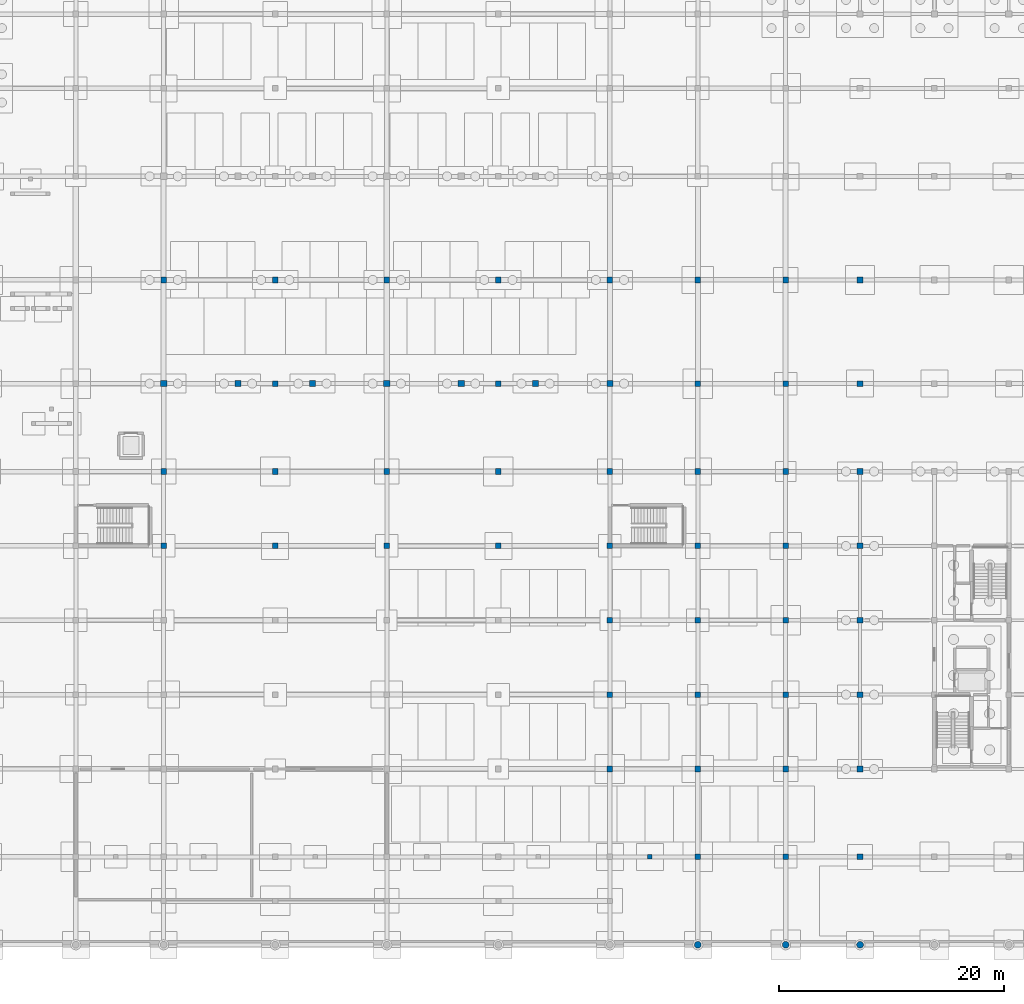
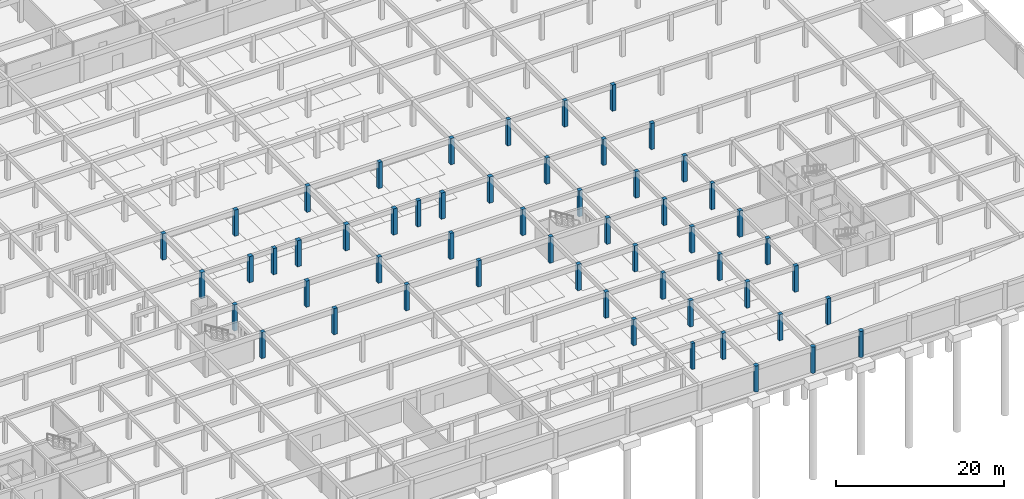
# One storey, part 12 of 37: 55 columns.
"""IFC4 building model written with IfcOpenShell, lengths in metres."""

from ifc_helpers import new_model, si_unit, direction, frame, origin, origin_2d, place, context, subcontext, project, spatial, rectangle, circle, extrude, material, material_profile, profile_set, type_object, element, save


model = new_model("IFC4")

# Units and contexts
model_context = context("Model", 3, precision=1e-05, world=origin(), true_north=direction((0.0, 1.0)))
body_context = subcontext(model_context, "Body", "Model", "MODEL_VIEW")
ifc_project = project(units=[si_unit("LENGTHUNIT", "METRE"), si_unit("AREAUNIT", "SQUARE_METRE"), si_unit("VOLUMEUNIT", "CUBIC_METRE"), si_unit("PLANEANGLEUNIT", "RADIAN"), si_unit("MASSUNIT", "GRAM", prefix="KILO")], contexts=[model_context])

# Site, building, storey
site_placement = place(None, origin())
site = spatial("IfcSite", under=ifc_project, at=site_placement, CompositionType="ELEMENT")
building_placement = place(site_placement, origin())
building = spatial("IfcBuilding", under=site, at=building_placement, Name="Kernevlak Ridge Housing Community", CompositionType="ELEMENT")
storey_placement = place(building_placement, frame((0.0, 0.0, -3.800048828125)))
storey = spatial("IfcBuildingStorey", under=building, at=storey_placement, Name="B1", CompositionType="ELEMENT", Elevation=-3.800048828125)

# Columns
ifc_material_1 = material(Name="Concrete C40/50", Category="concrete")
ifc_material_profile_1 = material_profile(ifc_material_1, rectangle(XDim=0.550048828125, YDim=0.550048828125, at=origin_2d()), Name="RC 550x550")
ifc_profile_set_1 = profile_set([ifc_material_profile_1], Name="Concrete C40/50")
column_type_1 = type_object("IfcColumnType", Name="C-02", PredefinedType="COLUMN", material=ifc_profile_set_1)
for number, where, z_axis, x_axis, name in (
    (1, (64.199951171875, 49.800048828125, 0.0), (0.0, 0.0, 1.0), (1.0, 0.0, 0.0), "Column C-02 COL-HALL-B1-0-0"),
    (2, (70.800048828125, 49.800048828125, 0.0), (0.0, 0.0, 1.0), (1.0, 0.0, 0.0), "Column C-02 COL-HALL-B1-1-0"),
    (3, (77.39990234375, 49.800048828125, 0.0), (0.0, 0.0, 1.0), (1.0, 0.0, 0.0), "Column C-02 COL-HALL-B1-2-0"),
    (4, (84.0, 49.800048828125, 0.0), (0.0, 0.0, 1.0), (1.0, 0.0, 0.0), "Column C-02 COL-HALL-B1-3-0"),
    (5, (90.60009765625, 49.800048828125, 0.0), (0.0, 0.0, 1.0), (1.0, 0.0, 0.0), "Column C-02 COL-HALL-B1-4-0"),
    (6, (97.199951171875, 49.800048828125, 0.0), (0.0, 0.0, 1.0), (1.0, 0.0, 0.0), "Column C-02 COL-HALL-B1-5-0"),
    (7, (103.800048828125, 49.800048828125, 0.0), (0.0, 0.0, 1.0), (1.0, 0.0, 0.0), "Column C-02 COL-HALL-B1-6-0"),
):
    element("IfcColumn", number, at=place(storey_placement, frame(where, z_axis=z_axis, x_axis=x_axis)), inside=storey, type_object=column_type_1, Name=name, PredefinedType="COLUMN", context=body_context, shape_type="SweptSolid", body=[
        extrude(rectangle(XDim=0.550048828125, YDim=0.550048828125, at=origin_2d()), origin(), (0.0, 0.0, 1.0), 3.800048828125),
    ])
ifc_material_profile_2 = material_profile(ifc_material_1, rectangle(XDim=0.5, YDim=0.5, at=origin_2d()), Name="RC 500x500")
ifc_profile_set_2 = profile_set([ifc_material_profile_2], Name="Concrete C40/50")
column_type_2 = type_object("IfcColumnType", Name="C-03", PredefinedType="COLUMN", material=ifc_profile_set_2)
for number, where, z_axis, x_axis, name in (
    (8, (126.0, 15.60009765625, 0.0), (0.0, 0.0, 1.0), (1.0, 0.0, 0.0), "Column C-03 COL-C-B1-00-0"),
    (9, (126.0, 22.199951171875, 0.0), (0.0, 0.0, 1.0), (1.0, 0.0, 0.0), "Column C-03 COL-C-B1-01-0"),
    (10, (126.0, 28.800048828125, 0.0), (0.0, 0.0, 1.0), (1.0, 0.0, 0.0), "Column C-03 COL-C-B1-02-0"),
    (11, (126.0, 35.39990234375, 0.0), (0.0, 0.0, 1.0), (1.0, 0.0, 0.0), "Column C-03 COL-C-B1-03-0"),
    (12, (126.0, 42.0, 0.0), (0.0, 0.0, 1.0), (1.0, 0.0, 0.0), "Column C-03 COL-C-B1-04-0"),
    (13, (64.199951171875, 35.39990234375, 0.0), (0.0, 0.0, 1.0), (1.0, 0.0, 0.0), "Column C-03 COL-POD-B1-114"),
    (14, (64.199951171875, 42.0, 0.0), (0.0, 0.0, 1.0), (1.0, 0.0, 0.0), "Column C-03 COL-POD-B1-115"),
    (15, (64.199951171875, 59.0, 0.0), (0.0, 0.0, 1.0), (1.0, 0.0, 0.0), "Column C-03 COL-POD-B1-117"),
    (16, (74.10009765625, 35.39990234375, 0.0), (0.0, 0.0, 1.0), (1.0, 0.0, 0.0), "Column C-03 COL-POD-B1-131"),
    (17, (74.10009765625, 42.0, 0.0), (0.0, 0.0, 1.0), (1.0, 0.0, 0.0), "Column C-03 COL-POD-B1-132"),
    (18, (74.10009765625, 49.800048828125, 0.0), (0.0, 0.0, 1.0), (1.0, 0.0, 0.0), "Column C-03 COL-POD-B1-133"),
    (19, (74.10009765625, 59.0, 0.0), (0.0, 0.0, 1.0), (1.0, 0.0, 0.0), "Column C-03 COL-POD-B1-134"),
    (20, (84.0, 35.39990234375, 0.0), (0.0, 0.0, 1.0), (1.0, 0.0, 0.0), "Column C-03 COL-POD-B1-148"),
    (21, (84.0, 42.0, 0.0), (0.0, 0.0, 1.0), (1.0, 0.0, 0.0), "Column C-03 COL-POD-B1-149"),
    (22, (84.0, 59.0, 0.0), (0.0, 0.0, 1.0), (1.0, 0.0, 0.0), "Column C-03 COL-POD-B1-151"),
    (23, (93.89990234375, 35.39990234375, 0.0), (0.0, 0.0, 1.0), (1.0, 0.0, 0.0), "Column C-03 COL-POD-B1-165"),
    (24, (93.89990234375, 42.0, 0.0), (0.0, 0.0, 1.0), (1.0, 0.0, 0.0), "Column C-03 COL-POD-B1-166"),
    (25, (93.89990234375, 49.800048828125, 0.0), (0.0, 0.0, 1.0), (1.0, 0.0, 0.0), "Column C-03 COL-POD-B1-167"),
    (26, (93.89990234375, 59.0, 0.0), (0.0, 0.0, 1.0), (1.0, 0.0, 0.0), "Column C-03 COL-POD-B1-168"),
    (27, (103.800048828125, 15.60009765625, 0.0), (0.0, 0.0, 1.0), (1.0, 0.0, 0.0), "Column C-03 COL-POD-B1-179"),
    (28, (103.800048828125, 22.199951171875, 0.0), (0.0, 0.0, 1.0), (1.0, 0.0, 0.0), "Column C-03 COL-POD-B1-180"),
    (29, (103.800048828125, 28.800048828125, 0.0), (0.0, 0.0, 1.0), (1.0, 0.0, 0.0), "Column C-03 COL-POD-B1-181"),
    (30, (103.800048828125, 35.39990234375, 0.0), (0.0, 0.0, 1.0), (1.0, 0.0, 0.0), "Column C-03 COL-POD-B1-182"),
    (31, (103.800048828125, 42.0, 0.0), (0.0, 0.0, 1.0), (1.0, 0.0, 0.0), "Column C-03 COL-POD-B1-183"),
    (32, (103.800048828125, 59.0, 0.0), (0.0, 0.0, 1.0), (1.0, 0.0, 0.0), "Column C-03 COL-POD-B1-185"),
    (33, (111.60009765625, 7.800048828125, 0.0), (0.0, 0.0, 1.0), (1.0, 0.0, 0.0), "Column C-03 COL-POD-B1-195"),
    (34, (111.60009765625, 15.60009765625, 0.0), (0.0, 0.0, 1.0), (1.0, 0.0, 0.0), "Column C-03 COL-POD-B1-196"),
    (35, (111.60009765625, 22.199951171875, 0.0), (0.0, 0.0, 1.0), (1.0, 0.0, 0.0), "Column C-03 COL-POD-B1-197"),
    (36, (111.60009765625, 28.800048828125, 0.0), (0.0, 0.0, 1.0), (1.0, 0.0, 0.0), "Column C-03 COL-POD-B1-198"),
    (37, (111.60009765625, 35.39990234375, 0.0), (0.0, 0.0, 1.0), (1.0, 0.0, 0.0), "Column C-03 COL-POD-B1-199"),
    (38, (111.60009765625, 42.0, 0.0), (0.0, 0.0, 1.0), (1.0, 0.0, 0.0), "Column C-03 COL-POD-B1-200"),
    (39, (111.60009765625, 49.800048828125, 0.0), (0.0, 0.0, 1.0), (1.0, 0.0, 0.0), "Column C-03 COL-POD-B1-201"),
    (40, (111.60009765625, 59.0, 0.0), (0.0, 0.0, 1.0), (1.0, 0.0, 0.0), "Column C-03 COL-POD-B1-202"),
    (41, (119.39990234375, 7.800048828125, 0.0), (0.0, 0.0, 1.0), (1.0, 0.0, 0.0), "Column C-03 COL-POD-B1-212"),
    (42, (119.39990234375, 15.60009765625, 0.0), (0.0, 0.0, 1.0), (1.0, 0.0, 0.0), "Column C-03 COL-POD-B1-213"),
    (43, (119.39990234375, 22.199951171875, 0.0), (0.0, 0.0, 1.0), (1.0, 0.0, 0.0), "Column C-03 COL-POD-B1-214"),
    (44, (119.39990234375, 28.800048828125, 0.0), (0.0, 0.0, 1.0), (1.0, 0.0, 0.0), "Column C-03 COL-POD-B1-215"),
    (45, (119.39990234375, 35.39990234375, 0.0), (0.0, 0.0, 1.0), (1.0, 0.0, 0.0), "Column C-03 COL-POD-B1-216"),
    (46, (119.39990234375, 42.0, 0.0), (0.0, 0.0, 1.0), (1.0, 0.0, 0.0), "Column C-03 COL-POD-B1-217"),
    (47, (119.39990234375, 49.800048828125, 0.0), (0.0, 0.0, 1.0), (1.0, 0.0, 0.0), "Column C-03 COL-POD-B1-218"),
    (48, (119.39990234375, 59.0, 0.0), (0.0, 0.0, 1.0), (1.0, 0.0, 0.0), "Column C-03 COL-POD-B1-219"),
    (49, (126.0, 7.800048828125, 0.0), (0.0, 0.0, 1.0), (1.0, 0.0, 0.0), "Column C-03 COL-POD-B1-225"),
    (50, (126.0, 49.800048828125, 0.0), (0.0, 0.0, 1.0), (1.0, 0.0, 0.0), "Column C-03 COL-POD-B1-226"),
    (51, (126.0, 59.0, 0.0), (0.0, 0.0, 1.0), (1.0, 0.0, 0.0), "Column C-03 COL-POD-B1-227"),
):
    element("IfcColumn", number, at=place(storey_placement, frame(where, z_axis=z_axis, x_axis=x_axis)), inside=storey, type_object=column_type_2, Name=name, PredefinedType="COLUMN", context=body_context, shape_type="SweptSolid", body=[
        extrude(rectangle(XDim=0.5, YDim=0.5, at=origin_2d()), origin(), (0.0, 0.0, 1.0), 3.800048828125),
    ])
ifc_material_2 = material(Name="Concrete C35/45", Category="concrete")
ifc_material_profile_3 = material_profile(ifc_material_2, rectangle(XDim=0.39990234375, YDim=0.39990234375, at=origin_2d()), Name="RC 400x400")
ifc_profile_set_3 = profile_set([ifc_material_profile_3], Name="Concrete C35/45")
column_type_3 = type_object("IfcColumnType", Name="C-05", PredefinedType="COLUMN", material=ifc_profile_set_3)
column_placement = place(storey_placement, frame((107.35009765625, 7.800048828125, 0.0), z_axis=(0.0, 0.0, 1.0), x_axis=(1.0, 0.0, 0.0)))
element("IfcColumn", 52, at=column_placement, inside=storey, type_object=column_type_3, Name="Column C-05 COL-PIL-B1-05", PredefinedType="COLUMN", context=body_context, shape_type="SweptSolid", body=[
    extrude(rectangle(XDim=0.39990234375, YDim=0.39990234375, at=origin_2d()), origin(), (0.0, 0.0, 1.0), 3.800048828125),
])
ifc_material_profile_4 = material_profile(ifc_material_1, circle(Radius=0.300048828125, at=origin_2d()), Name="RC D600")
ifc_profile_set_4 = profile_set([ifc_material_profile_4], Name="Concrete C40/50")
column_type_4 = type_object("IfcColumnType", Name="C-09", PredefinedType="COLUMN", material=ifc_profile_set_4)
for number, where, z_axis, x_axis, name in (
    (53, (111.60009765625, 0.0, 0.0), (0.0, 0.0, 1.0), (1.0, 0.0, 0.0), "Column C-09 COL-POD-B1-194"),
    (54, (119.39990234375, 0.0, 0.0), (0.0, 0.0, 1.0), (1.0, 0.0, 0.0), "Column C-09 COL-POD-B1-211"),
    (55, (126.0, 0.0, 0.0), (0.0, 0.0, 1.0), (1.0, 0.0, 0.0), "Column C-09 COL-POD-B1-224"),
):
    element("IfcColumn", number, at=place(storey_placement, frame(where, z_axis=z_axis, x_axis=x_axis)), inside=storey, type_object=column_type_4, Name=name, PredefinedType="COLUMN", context=body_context, shape_type="SweptSolid", body=[
        extrude(circle(Radius=0.300048828125, at=origin_2d()), origin(), (0.0, 0.0, 1.0), 3.800048828125),
    ])

save(model, "model.ifc")
